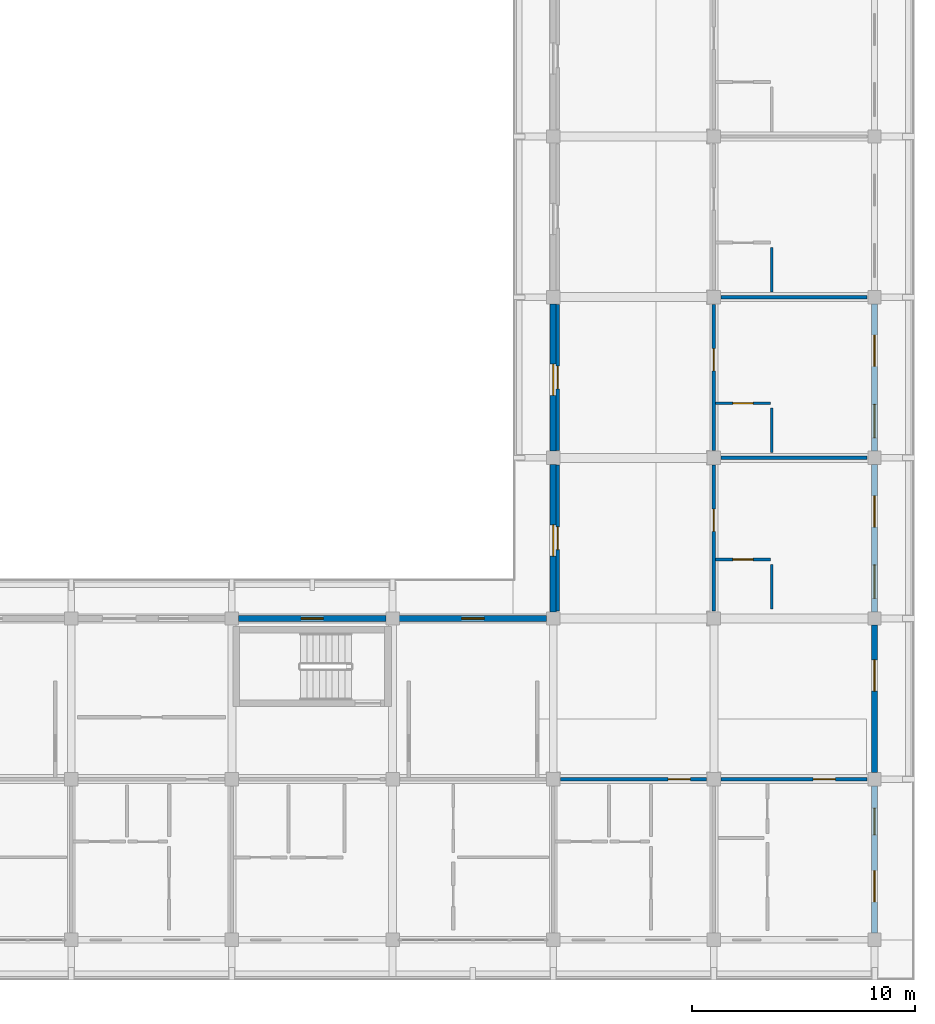
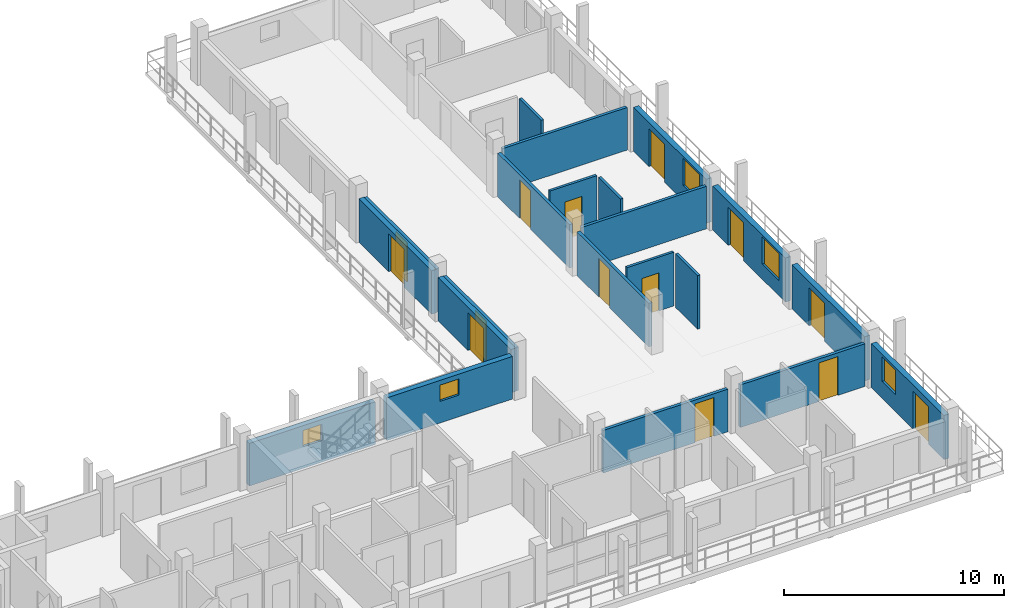
# One storey, part 54 of 76: 21 walls, 14 doors, 5 windows, 19 openings.
"""IFC4 building model written with IfcOpenShell, lengths in metres."""

from ifc_helpers import new_model, si_unit, direction, frame, frame_2d, origin, place, context, subcontext, project, spatial, rectangle, extrude, material, layer, layer_set, type_object, element, fill, save


model = new_model("IFC4")

# Units and contexts
model_context = context("Model", 3, precision=1e-05, world=origin(), true_north=direction((0.0, 1.0)))
body_context = subcontext(model_context, "Body", "Model", "MODEL_VIEW")
ifc_project = project(units=[si_unit("LENGTHUNIT", "METRE"), si_unit("AREAUNIT", "SQUARE_METRE"), si_unit("VOLUMEUNIT", "CUBIC_METRE"), si_unit("PLANEANGLEUNIT", "RADIAN"), si_unit("MASSUNIT", "GRAM", prefix="KILO")], contexts=[model_context])

# Site, building, storey
site_placement = place(None, origin())
site = spatial("IfcSite", under=ifc_project, at=site_placement, CompositionType="ELEMENT")
building_placement = place(site_placement, origin())
building = spatial("IfcBuilding", under=site, at=building_placement, Name="Suanplinth Sawtooth Commons", CompositionType="ELEMENT")
storey_placement = place(building_placement, frame((0.0, 0.0, 12.199951171875)))
storey = spatial("IfcBuildingStorey", under=building, at=storey_placement, Name="L03", CompositionType="ELEMENT", Elevation=12.199951171875)

# Wall, opening, window
ifc_material_1 = material(Name="Precast concrete C40/50", Category="concrete")
ifc_layer_1 = layer(ifc_material_1, 0.280029296875, Name="Insulated precast architectural facade wall 280mm")
ifc_layer_set_1 = layer_set([ifc_layer_1], Name="Precast concrete C40/50")
wall_type_1 = type_object("IfcWallType", Name="W-EX01", PredefinedType="ELEMENTEDWALL", material=ifc_layer_set_1)
wall_1_placement = place(storey_placement, frame((158.699951171875, 14.39990234375, 0.0), z_axis=(0.0, 0.0, 1.0), x_axis=(1.0, 0.0, 0.0)))
wall_1 = element("IfcWall", 1, at=wall_1_placement, inside=storey, type_object=wall_type_1, Name="Facade Wall W-L03-C-N-22-1", PredefinedType="ELEMENTEDWALL", context=body_context, shape_type="SweptSolid", body=[
    extrude(rectangle(XDim=6.60009765625, YDim=0.280029296875, at=frame_2d((3.300048828125, 0.0))), origin(), (0.0, 0.0, 1.0), 2.364990234375),
])
opening_1_placement = place(wall_1_placement, frame((2.800048828125, 0.0, 1.199951171875)))
opening_1 = element("IfcOpeningElement", 2, at=opening_1_placement, cuts=wall_1, Name="Opening W0384", PredefinedType="OPENING", context=body_context, shape_type="SweptSolid", body=[
    extrude(rectangle(XDim=1.0, YDim=0.89990234375, at=frame_2d((0.5, 0.449951171875))), frame((0.0, 0.15478515625, 0.0), z_axis=(0.0, -1.0, 0.0), x_axis=(1.0, 0.0, 0.0)), (0.0, 0.0, 1.0), 0.309814453125),
])
ifc_material_2 = material(Name="Thermally broken aluminium and low-E double glazing", Category="aluminium")
window_type_1 = type_object("IfcWindowType", Name="WN-12", PartitioningType="SINGLE_PANEL", PredefinedType="WINDOW", material=ifc_material_2)
window_1_placement = place(opening_1_placement, origin())
window_1 = element("IfcWindow", 3, at=window_1_placement, inside=storey, type_object=window_type_1, Name="Core Daylight Window L03-C-22-1", OverallHeight=0.89990234375, OverallWidth=1.0, PartitioningType="SINGLE_PANEL", PredefinedType="WINDOW", context=body_context, shape_type="SweptSolid", body=[
    extrude(rectangle(XDim=1.0, YDim=0.89990234375, at=frame_2d((0.5, 0.449951171875))), frame((0.0, 0.030029296875, 0.0), z_axis=(0.0, -1.0, 0.0), x_axis=(1.0, 0.0, 0.0)), (0.0, 0.0, 1.0), 0.06005859375),
])
fill(opening_1, window_1)

wall_2_placement = place(storey_placement, frame((165.89990234375, 14.39990234375, 0.0), z_axis=(0.0, 0.0, 1.0), x_axis=(1.0, 0.0, 0.0)))
wall_2 = element("IfcWall", 4, at=wall_2_placement, inside=storey, type_object=wall_type_1, Name="Facade Wall W-L03-C-N-23-1", PredefinedType="ELEMENTEDWALL", context=body_context, shape_type="SweptSolid", body=[
    extrude(rectangle(XDim=6.60009765625, YDim=0.280029296875, at=frame_2d((3.300048828125, 0.0))), origin(), (0.0, 0.0, 1.0), 2.364990234375),
])
opening_2_placement = place(wall_2_placement, frame((2.800048828125, 0.0, 1.199951171875)))
opening_2 = element("IfcOpeningElement", 5, at=opening_2_placement, cuts=wall_2, Name="Opening W0385", PredefinedType="OPENING", context=body_context, shape_type="SweptSolid", body=[
    extrude(rectangle(XDim=1.0, YDim=0.89990234375, at=frame_2d((0.5, 0.449951171875))), frame((0.0, 0.15478515625, 0.0), z_axis=(0.0, -1.0, 0.0), x_axis=(1.0, 0.0, 0.0)), (0.0, 0.0, 1.0), 0.309814453125),
])
window_2_placement = place(opening_2_placement, origin())
window_2 = element("IfcWindow", 6, at=window_2_placement, inside=storey, type_object=window_type_1, Name="Core Daylight Window L03-C-23-1", OverallHeight=0.89990234375, OverallWidth=1.0, PartitioningType="SINGLE_PANEL", PredefinedType="WINDOW", context=body_context, shape_type="SweptSolid", body=[
    extrude(rectangle(XDim=1.0, YDim=0.89990234375, at=frame_2d((0.5, 0.449951171875))), frame((0.0, 0.030029296875, 0.0), z_axis=(0.0, -1.0, 0.0), x_axis=(1.0, 0.0, 0.0)), (0.0, 0.0, 1.0), 0.06005859375),
])
fill(opening_2, window_2)

# Wall, opening, door
wall_3_placement = place(storey_placement, frame((172.800048828125, 14.699951171875, 0.0), z_axis=(0.0, 0.0, 1.0), x_axis=(0.0, 1.0, 0.0)))
wall_3 = element("IfcWall", 7, at=wall_3_placement, inside=storey, type_object=wall_type_1, Name="Facade Wall W-L03-C-W-24-2", PredefinedType="ELEMENTEDWALL", context=body_context, shape_type="SweptSolid", body=[
    extrude(rectangle(XDim=6.60009765625, YDim=0.280029296875, at=frame_2d((3.300048828125, 0.0))), origin(), (0.0, 0.0, 1.0), 2.4150390625),
])
opening_3_placement = place(wall_3_placement, frame((2.5, 0.0, 0.0)))
opening_3 = element("IfcOpeningElement", 8, at=opening_3_placement, cuts=wall_3, Name="Opening ED0277", PredefinedType="OPENING", context=body_context, shape_type="SweptSolid", body=[
    extrude(rectangle(XDim=1.39990234375, YDim=2.10009765625, at=frame_2d((0.699951171875, 1.050048828125))), frame((0.0, 0.15478515625, 0.0), z_axis=(0.0, -1.0, 0.0), x_axis=(1.0, 0.0, 0.0)), (0.0, 0.0, 1.0), 0.309814453125),
])
ifc_material_3 = material(Name="Anodized aluminium and low-E glass", Category="aluminium")
door_type_1 = type_object("IfcDoorType", Name="SD-07", OperationType="SLIDING_TO_RIGHT", PredefinedType="DOOR", material=ifc_material_3)
door_1_placement = place(opening_3_placement, frame((1.39990234375, 0.0, 0.0), z_axis=(0.0, 0.0, 1.0), x_axis=(-1.0, 0.0, 0.0)))
door_1 = element("IfcDoor", 9, at=door_1_placement, inside=storey, type_object=door_type_1, Name="Courtyard Veranda Studio Balcony Door L03-C-2", OperationType="SLIDING_TO_RIGHT", OverallHeight=2.10009765625, OverallWidth=1.39990234375, PredefinedType="DOOR", context=body_context, shape_type="SweptSolid", body=[
    extrude(rectangle(XDim=1.39990234375, YDim=2.10009765625, at=frame_2d((0.699951171875, 1.050048828125))), frame((0.0, 0.02490234375, 0.0), z_axis=(0.0, -1.0, 0.0), x_axis=(1.0, 0.0, 0.0)), (0.0, 0.0, 1.0), 0.050048828125),
])
fill(opening_3, door_1)

wall_4_placement = place(storey_placement, frame((172.800048828125, 21.89990234375, 0.0), z_axis=(0.0, 0.0, 1.0), x_axis=(0.0, 1.0, 0.0)))
wall_4 = element("IfcWall", 10, at=wall_4_placement, inside=storey, type_object=wall_type_1, Name="Facade Wall W-L03-C-W-24-3", PredefinedType="ELEMENTEDWALL", context=body_context, shape_type="SweptSolid", body=[
    extrude(rectangle(XDim=6.60009765625, YDim=0.280029296875, at=frame_2d((3.300048828125, 0.0))), origin(), (0.0, 0.0, 1.0), 2.4150390625),
])
opening_4_placement = place(wall_4_placement, frame((2.5, 0.0, 0.0)))
opening_4 = element("IfcOpeningElement", 11, at=opening_4_placement, cuts=wall_4, Name="Opening ED0278", PredefinedType="OPENING", context=body_context, shape_type="SweptSolid", body=[
    extrude(rectangle(XDim=1.39990234375, YDim=2.10009765625, at=frame_2d((0.699951171875, 1.050048828125))), frame((0.0, 0.15478515625, 0.0), z_axis=(0.0, -1.0, 0.0), x_axis=(1.0, 0.0, 0.0)), (0.0, 0.0, 1.0), 0.309814453125),
])
door_2_placement = place(opening_4_placement, frame((1.39990234375, 0.0, 0.0), z_axis=(0.0, 0.0, 1.0), x_axis=(-1.0, 0.0, 0.0)))
door_2 = element("IfcDoor", 12, at=door_2_placement, inside=storey, type_object=door_type_1, Name="Courtyard Veranda Studio Balcony Door L03-C-3", OperationType="SLIDING_TO_RIGHT", OverallHeight=2.10009765625, OverallWidth=1.39990234375, PredefinedType="DOOR", context=body_context, shape_type="SweptSolid", body=[
    extrude(rectangle(XDim=1.39990234375, YDim=2.10009765625, at=frame_2d((0.699951171875, 1.050048828125))), frame((0.0, 0.02490234375, 0.0), z_axis=(0.0, -1.0, 0.0), x_axis=(1.0, 0.0, 0.0)), (0.0, 0.0, 1.0), 0.050048828125),
])
fill(opening_4, door_2)

# Wall, openings, door, window
wall_5_placement = place(storey_placement, frame((187.199951171875, 0.300048828125, 0.0), z_axis=(0.0, 0.0, 1.0), x_axis=(0.0, 1.0, 0.0)))
wall_5 = element("IfcWall", 13, at=wall_5_placement, inside=storey, type_object=wall_type_1, Name="Facade Wall W-L03-C-E-25-0", PredefinedType="ELEMENTEDWALL", context=body_context, shape_type="SweptSolid", body=[
    extrude(rectangle(XDim=6.599853515625, YDim=0.280029296875, at=frame_2d((3.2998046875, 0.0))), origin(), (0.0, 0.0, 1.0), 2.445068359375),
])
opening_5_placement = place(wall_5_placement, frame((1.39990234375, 0.0, 0.0)))
opening_5 = element("IfcOpeningElement", 14, at=opening_5_placement, cuts=wall_5, Name="Opening ED0282", PredefinedType="OPENING", context=body_context, shape_type="SweptSolid", body=[
    extrude(rectangle(XDim=1.39990234375, YDim=2.10009765625, at=frame_2d((0.699951171875, 1.050048828125))), frame((0.0, 0.15478515625, 0.0), z_axis=(0.0, -1.0, 0.0), x_axis=(1.0, 0.0, 0.0)), (0.0, 0.0, 1.0), 0.309814453125),
])
opening_6_placement = place(wall_5_placement, frame((4.39990234375, 0.0, 0.949951171875)))
opening_6 = element("IfcOpeningElement", 15, at=opening_6_placement, cuts=wall_5, Name="Opening W0389", PredefinedType="OPENING", context=body_context, shape_type="SweptSolid", body=[
    extrude(rectangle(XDim=1.199951171875, YDim=1.35009765625, at=frame_2d((0.60009765625, 0.675048828125))), frame((0.0, 0.15478515625, 0.0), z_axis=(0.0, -1.0, 0.0), x_axis=(1.0, 0.0, 0.0)), (0.0, 0.0, 1.0), 0.309814453125),
])
door_3_placement = place(opening_5_placement, frame((1.39990234375, 0.0, 0.0), z_axis=(0.0, 0.0, 1.0), x_axis=(-1.0, 0.0, 0.0)))
door_3 = element("IfcDoor", 16, at=door_3_placement, inside=storey, type_object=door_type_1, Name="End Balcony Sliding Door L03-C-E-25-0", OperationType="SLIDING_TO_RIGHT", OverallHeight=2.10009765625, OverallWidth=1.39990234375, PredefinedType="DOOR", context=body_context, shape_type="SweptSolid", body=[
    extrude(rectangle(XDim=1.39990234375, YDim=2.10009765625, at=frame_2d((0.699951171875, 1.050048828125))), frame((0.0, 0.02490234375, 0.0), z_axis=(0.0, -1.0, 0.0), x_axis=(1.0, 0.0, 0.0)), (0.0, 0.0, 1.0), 0.050048828125),
])
fill(opening_5, door_3)
window_type_2 = type_object("IfcWindowType", Name="WN-03", PartitioningType="SINGLE_PANEL", PredefinedType="WINDOW", material=ifc_material_2)
window_3_placement = place(opening_6_placement, origin())
window_3 = element("IfcWindow", 17, at=window_3_placement, inside=storey, type_object=window_type_2, Name="End Bedroom Window L03-C-25-0", OverallHeight=1.35009765625, OverallWidth=1.199951171875, PartitioningType="SINGLE_PANEL", PredefinedType="WINDOW", context=body_context, shape_type="SweptSolid", body=[
    extrude(rectangle(XDim=1.199951171875, YDim=1.35009765625, at=frame_2d((0.60009765625, 0.675048828125))), frame((0.0, 0.030029296875, 0.0), z_axis=(0.0, -1.0, 0.0), x_axis=(1.0, 0.0, 0.0)), (0.0, 0.0, 1.0), 0.06005859375),
])
fill(opening_6, window_3)

# Wall, opening, door
wall_6_placement = place(storey_placement, frame((187.199951171875, 7.5, 0.0), z_axis=(0.0, 0.0, 1.0), x_axis=(0.0, 1.0, 0.0)))
wall_6 = element("IfcWall", 18, at=wall_6_placement, inside=storey, type_object=wall_type_1, Name="Facade Wall W-L03-C-E-25-1", PredefinedType="ELEMENTEDWALL", context=body_context, shape_type="SweptSolid", body=[
    extrude(rectangle(XDim=6.60009765625, YDim=0.280029296875, at=frame_2d((3.300048828125, 0.0))), origin(), (0.0, 0.0, 1.0), 2.445068359375),
])
opening_7_placement = place(wall_6_placement, frame((3.64990234375, 0.0, 0.0)))
opening_7 = element("IfcOpeningElement", 19, at=opening_7_placement, cuts=wall_6, Name="Opening ED0283", PredefinedType="OPENING", context=body_context, shape_type="SweptSolid", body=[
    extrude(rectangle(XDim=1.39990234375, YDim=2.10009765625, at=frame_2d((0.699951171875, 1.050048828125))), frame((0.0, 0.15478515625, 0.0), z_axis=(0.0, -1.0, 0.0), x_axis=(1.0, 0.0, 0.0)), (0.0, 0.0, 1.0), 0.309814453125),
])
door_4_placement = place(opening_7_placement, frame((1.39990234375, 0.0, 0.0), z_axis=(0.0, 0.0, 1.0), x_axis=(-1.0, 0.0, 0.0)))
door_4 = element("IfcDoor", 20, at=door_4_placement, inside=storey, type_object=door_type_1, Name="End Balcony Sliding Door L03-C-E-25-1", OperationType="SLIDING_TO_RIGHT", OverallHeight=2.10009765625, OverallWidth=1.39990234375, PredefinedType="DOOR", context=body_context, shape_type="SweptSolid", body=[
    extrude(rectangle(XDim=1.39990234375, YDim=2.10009765625, at=frame_2d((0.699951171875, 1.050048828125))), frame((0.0, 0.02490234375, 0.0), z_axis=(0.0, -1.0, 0.0), x_axis=(1.0, 0.0, 0.0)), (0.0, 0.0, 1.0), 0.050048828125),
])
fill(opening_7, door_4)

# Wall, openings, door, window
wall_7_placement = place(storey_placement, frame((187.199951171875, 14.699951171875, 0.0), z_axis=(0.0, 0.0, 1.0), x_axis=(0.0, 1.0, 0.0)))
wall_7 = element("IfcWall", 21, at=wall_7_placement, inside=storey, type_object=wall_type_1, Name="Facade Wall W-L03-C-E-25-2", PredefinedType="ELEMENTEDWALL", context=body_context, shape_type="SweptSolid", body=[
    extrude(rectangle(XDim=6.60009765625, YDim=0.280029296875, at=frame_2d((3.300048828125, 0.0))), origin(), (0.0, 0.0, 1.0), 2.445068359375),
])
opening_8_placement = place(wall_7_placement, frame((3.800048828125, 0.0, 0.0)))
opening_8 = element("IfcOpeningElement", 22, at=opening_8_placement, cuts=wall_7, Name="Opening ED0284", PredefinedType="OPENING", context=body_context, shape_type="SweptSolid", body=[
    extrude(rectangle(XDim=1.39990234375, YDim=2.10009765625, at=frame_2d((0.699951171875, 1.050048828125))), frame((0.0, 0.15478515625, 0.0), z_axis=(0.0, -1.0, 0.0), x_axis=(1.0, 0.0, 0.0)), (0.0, 0.0, 1.0), 0.309814453125),
])
opening_9_placement = place(wall_7_placement, frame((0.60009765625, 0.0, 0.8349609375)))
opening_9 = element("IfcOpeningElement", 23, at=opening_9_placement, cuts=wall_7, Name="Opening W0390", PredefinedType="OPENING", context=body_context, shape_type="SweptSolid", body=[
    extrude(rectangle(XDim=1.5, YDim=1.5, at=frame_2d((0.75, 0.75))), frame((0.0, 0.15478515625, 0.0), z_axis=(0.0, -1.0, 0.0), x_axis=(1.0, 0.0, 0.0)), (0.0, 0.0, 1.0), 0.309814453125),
])
door_5_placement = place(opening_8_placement, frame((1.39990234375, 0.0, 0.0), z_axis=(0.0, 0.0, 1.0), x_axis=(-1.0, 0.0, 0.0)))
door_5 = element("IfcDoor", 24, at=door_5_placement, inside=storey, type_object=door_type_1, Name="Wing Balcony Sliding Door L03-C-2", OperationType="SLIDING_TO_RIGHT", OverallHeight=2.10009765625, OverallWidth=1.39990234375, PredefinedType="DOOR", context=body_context, shape_type="SweptSolid", body=[
    extrude(rectangle(XDim=1.39990234375, YDim=2.10009765625, at=frame_2d((0.699951171875, 1.050048828125))), frame((0.0, 0.02490234375, 0.0), z_axis=(0.0, -1.0, 0.0), x_axis=(1.0, 0.0, 0.0)), (0.0, 0.0, 1.0), 0.050048828125),
])
fill(opening_8, door_5)
window_type_3 = type_object("IfcWindowType", Name="WN-02", PartitioningType="DOUBLE_PANEL_VERTICAL", PredefinedType="WINDOW", material=ifc_material_2)
window_4_placement = place(opening_9_placement, origin())
window_4 = element("IfcWindow", 25, at=window_4_placement, inside=storey, type_object=window_type_3, Name="Wing Window L03-C-2", OverallHeight=1.5, OverallWidth=1.5, PartitioningType="DOUBLE_PANEL_VERTICAL", PredefinedType="WINDOW", context=body_context, shape_type="SweptSolid", body=[
    extrude(rectangle(XDim=1.5, YDim=1.5, at=frame_2d((0.75, 0.75))), frame((0.0, 0.030029296875, 0.0), z_axis=(0.0, -1.0, 0.0), x_axis=(1.0, 0.0, 0.0)), (0.0, 0.0, 1.0), 0.06005859375),
])
fill(opening_9, window_4)

wall_8_placement = place(storey_placement, frame((187.199951171875, 21.89990234375, 0.0), z_axis=(0.0, 0.0, 1.0), x_axis=(0.0, 1.0, 0.0)))
wall_8 = element("IfcWall", 26, at=wall_8_placement, inside=storey, type_object=wall_type_1, Name="Facade Wall W-L03-C-E-25-3", PredefinedType="ELEMENTEDWALL", context=body_context, shape_type="SweptSolid", body=[
    extrude(rectangle(XDim=6.60009765625, YDim=0.280029296875, at=frame_2d((3.300048828125, 0.0))), origin(), (0.0, 0.0, 1.0), 2.445068359375),
])
opening_10_placement = place(wall_8_placement, frame((3.800048828125, 0.0, 0.0)))
opening_10 = element("IfcOpeningElement", 27, at=opening_10_placement, cuts=wall_8, Name="Opening ED0285", PredefinedType="OPENING", context=body_context, shape_type="SweptSolid", body=[
    extrude(rectangle(XDim=1.39990234375, YDim=2.10009765625, at=frame_2d((0.699951171875, 1.050048828125))), frame((0.0, 0.15478515625, 0.0), z_axis=(0.0, -1.0, 0.0), x_axis=(1.0, 0.0, 0.0)), (0.0, 0.0, 1.0), 0.309814453125),
])
opening_11_placement = place(wall_8_placement, frame((0.60009765625, 0.0, 0.8349609375)))
opening_11 = element("IfcOpeningElement", 28, at=opening_11_placement, cuts=wall_8, Name="Opening W0391", PredefinedType="OPENING", context=body_context, shape_type="SweptSolid", body=[
    extrude(rectangle(XDim=1.5, YDim=1.5, at=frame_2d((0.75, 0.75))), frame((0.0, 0.15478515625, 0.0), z_axis=(0.0, -1.0, 0.0), x_axis=(1.0, 0.0, 0.0)), (0.0, 0.0, 1.0), 0.309814453125),
])
door_6_placement = place(opening_10_placement, frame((1.39990234375, 0.0, 0.0), z_axis=(0.0, 0.0, 1.0), x_axis=(-1.0, 0.0, 0.0)))
door_6 = element("IfcDoor", 29, at=door_6_placement, inside=storey, type_object=door_type_1, Name="Wing Balcony Sliding Door L03-C-3", OperationType="SLIDING_TO_RIGHT", OverallHeight=2.10009765625, OverallWidth=1.39990234375, PredefinedType="DOOR", context=body_context, shape_type="SweptSolid", body=[
    extrude(rectangle(XDim=1.39990234375, YDim=2.10009765625, at=frame_2d((0.699951171875, 1.050048828125))), frame((0.0, 0.02490234375, 0.0), z_axis=(0.0, -1.0, 0.0), x_axis=(1.0, 0.0, 0.0)), (0.0, 0.0, 1.0), 0.050048828125),
])
fill(opening_10, door_6)
window_5_placement = place(opening_11_placement, origin())
window_5 = element("IfcWindow", 30, at=window_5_placement, inside=storey, type_object=window_type_3, Name="Wing Window L03-C-3", OverallHeight=1.5, OverallWidth=1.5, PartitioningType="DOUBLE_PANEL_VERTICAL", PredefinedType="WINDOW", context=body_context, shape_type="SweptSolid", body=[
    extrude(rectangle(XDim=1.5, YDim=1.5, at=frame_2d((0.75, 0.75))), frame((0.0, 0.030029296875, 0.0), z_axis=(0.0, -1.0, 0.0), x_axis=(1.0, 0.0, 0.0)), (0.0, 0.0, 1.0), 0.06005859375),
])
fill(opening_11, window_5)

# Wall, opening, door
ifc_layer_2 = layer(ifc_material_1, 0.159912109375, Name="Fire-rated corridor and lobby wall 160mm")
ifc_layer_set_2 = layer_set([ifc_layer_2], Name="Precast concrete C40/50")
wall_type_2 = type_object("IfcWallType", Name="W-FW01", PredefinedType="PARTITIONING", material=ifc_layer_set_2)
wall_9_placement = place(storey_placement, frame((173.1298828125, 7.199951171875, 0.0), z_axis=(0.0, 0.0, 1.0), x_axis=(1.0, 0.0, 0.0)))
wall_9 = element("IfcWall", 31, at=wall_9_placement, inside=storey, type_object=wall_type_2, Name="W-C-L03-U06-COR", PredefinedType="PARTITIONING", context=body_context, shape_type="SweptSolid", body=[
    extrude(rectangle(XDim=6.5400390625, YDim=0.159912109375, at=frame_2d((3.27001953125, 0.0))), origin(), (0.0, 0.0, 1.0), 2.364990234375),
])
opening_12_placement = place(wall_9_placement, frame((4.820068359375, 0.0, 0.0)))
opening_12 = element("IfcOpeningElement", 32, at=opening_12_placement, cuts=wall_9, Name="Opening FD0982", PredefinedType="OPENING", context=body_context, shape_type="SweptSolid", body=[
    extrude(rectangle(XDim=1.0, YDim=2.14990234375, at=frame_2d((0.5, 1.074951171875))), frame((0.0, 0.0947265625, 0.0), z_axis=(0.0, -1.0, 0.0), x_axis=(1.0, 0.0, 0.0)), (0.0, 0.0, 1.0), 0.189697265625),
])
ifc_material_4 = material(Name="Teak hardwood fire-rated door assembly", Category="wood")
door_type_2 = type_object("IfcDoorType", Name="FD-03", OperationType="NOTDEFINED", PredefinedType="DOOR", material=ifc_material_4)
door_7_placement = place(opening_12_placement, frame((1.0, 0.0, 0.0), z_axis=(0.0, 0.0, 1.0), x_axis=(-1.0, 0.0, 0.0)))
door_7 = element("IfcDoor", 33, at=door_7_placement, inside=storey, type_object=door_type_2, Name="Unit Entrance Door FD0982", OperationType="SINGLE_SWING_RIGHT", OverallHeight=2.14990234375, OverallWidth=1.0, PredefinedType="DOOR", context=body_context, shape_type="SweptSolid", body=[
    extrude(rectangle(XDim=1.0, YDim=2.14990234375, at=frame_2d((0.5, 1.074951171875))), frame((0.0, 0.02490234375, 0.0), z_axis=(0.0, -1.0, 0.0), x_axis=(1.0, 0.0, 0.0)), (0.0, 0.0, 1.0), 0.050048828125),
])
fill(opening_12, door_7)

wall_10_placement = place(storey_placement, frame((180.330078125, 7.199951171875, 0.0), z_axis=(0.0, 0.0, 1.0), x_axis=(1.0, 0.0, 0.0)))
wall_10 = element("IfcWall", 34, at=wall_10_placement, inside=storey, type_object=wall_type_2, Name="W-C-L03-U07-COR", PredefinedType="PARTITIONING", context=body_context, shape_type="SweptSolid", body=[
    extrude(rectangle(XDim=6.5400390625, YDim=0.159912109375, at=frame_2d((3.27001953125, 0.0))), origin(), (0.0, 0.0, 1.0), 2.364990234375),
])
opening_13_placement = place(wall_10_placement, frame((4.1201171875, 0.0, 0.0)))
opening_13 = element("IfcOpeningElement", 35, at=opening_13_placement, cuts=wall_10, Name="Opening FD0986", PredefinedType="OPENING", context=body_context, shape_type="SweptSolid", body=[
    extrude(rectangle(XDim=1.0, YDim=2.14990234375, at=frame_2d((0.5, 1.074951171875))), frame((0.0, 0.0947265625, 0.0), z_axis=(0.0, -1.0, 0.0), x_axis=(1.0, 0.0, 0.0)), (0.0, 0.0, 1.0), 0.189697265625),
])
door_8_placement = place(opening_13_placement, frame((1.0, 0.0, 0.0), z_axis=(0.0, 0.0, 1.0), x_axis=(-1.0, 0.0, 0.0)))
door_8 = element("IfcDoor", 36, at=door_8_placement, inside=storey, type_object=door_type_2, Name="Unit Entrance Door FD0986", OperationType="SINGLE_SWING_RIGHT", OverallHeight=2.14990234375, OverallWidth=1.0, PredefinedType="DOOR", context=body_context, shape_type="SweptSolid", body=[
    extrude(rectangle(XDim=1.0, YDim=2.14990234375, at=frame_2d((0.5, 1.074951171875))), frame((0.0, 0.02490234375, 0.0), z_axis=(0.0, -1.0, 0.0), x_axis=(1.0, 0.0, 0.0)), (0.0, 0.0, 1.0), 0.050048828125),
])
fill(opening_13, door_8)

wall_11_placement = place(storey_placement, frame((180.0, 14.72998046875, 0.0), z_axis=(0.0, 0.0, 1.0), x_axis=(0.0, 1.0, 0.0)))
wall_11 = element("IfcWall", 37, at=wall_11_placement, inside=storey, type_object=wall_type_2, Name="W-C-L03-L01-COR", PredefinedType="PARTITIONING", context=body_context, shape_type="SweptSolid", body=[
    extrude(rectangle(XDim=6.5400390625, YDim=0.159912109375, at=frame_2d((3.27001953125, 0.0))), origin(), (0.0, 0.0, 1.0), 2.4150390625),
])
opening_14_placement = place(wall_11_placement, frame((3.570068359375, 0.0, 0.0)))
opening_14 = element("IfcOpeningElement", 38, at=opening_14_placement, cuts=wall_11, Name="Opening FD0992", PredefinedType="OPENING", context=body_context, shape_type="SweptSolid", body=[
    extrude(rectangle(XDim=1.0, YDim=2.14990234375, at=frame_2d((0.5, 1.074951171875))), frame((0.0, 0.0947265625, 0.0), z_axis=(0.0, -1.0, 0.0), x_axis=(1.0, 0.0, 0.0)), (0.0, 0.0, 1.0), 0.189697265625),
])
door_9_placement = place(opening_14_placement, frame((1.0, 0.0, 0.0), z_axis=(0.0, 0.0, 1.0), x_axis=(-1.0, 0.0, 0.0)))
door_9 = element("IfcDoor", 39, at=door_9_placement, inside=storey, type_object=door_type_2, Name="Wing Unit Entrance Door FD0992", OperationType="SINGLE_SWING_RIGHT", OverallHeight=2.14990234375, OverallWidth=1.0, PredefinedType="DOOR", context=body_context, shape_type="SweptSolid", body=[
    extrude(rectangle(XDim=1.0, YDim=2.14990234375, at=frame_2d((0.5, 1.074951171875))), frame((0.0, 0.02490234375, 0.0), z_axis=(0.0, -1.0, 0.0), x_axis=(1.0, 0.0, 0.0)), (0.0, 0.0, 1.0), 0.050048828125),
])
fill(opening_14, door_9)

wall_12_placement = place(storey_placement, frame((173.0, 14.72998046875, 0.0), z_axis=(0.0, 0.0, 1.0), x_axis=(0.0, 1.0, 0.0)))
wall_12 = element("IfcWall", 40, at=wall_12_placement, inside=storey, type_object=wall_type_2, Name="W-C-L03-LEGCOURTROOM-52-COR", PredefinedType="PARTITIONING", context=body_context, shape_type="SweptSolid", body=[
    extrude(rectangle(XDim=6.5400390625, YDim=0.159912109375, at=frame_2d((3.27001953125, 0.0))), origin(), (0.0, 0.0, 1.0), 2.4150390625),
])
opening_15_placement = place(wall_12_placement, frame((2.760009765625, 0.0, 0.0)))
opening_15 = element("IfcOpeningElement", 41, at=opening_15_placement, cuts=wall_12, Name="Opening D0994", PredefinedType="OPENING", context=body_context, shape_type="SweptSolid", body=[
    extrude(rectangle(XDim=1.02001953125, YDim=2.179931640625, at=frame_2d((0.510009765625, 1.08984375))), frame((0.0, 0.0947265625, 0.0), z_axis=(0.0, -1.0, 0.0), x_axis=(1.0, 0.0, 0.0)), (0.0, 0.0, 1.0), 0.189697265625),
])
ifc_material_5 = material(Name="Teak hardwood", Category="wood")
door_type_3 = type_object("IfcDoorType", Name="D-16", OperationType="NOTDEFINED", PredefinedType="DOOR", material=ifc_material_5)
door_10_placement = place(opening_15_placement, origin())
door_10 = element("IfcDoor", 42, at=door_10_placement, inside=storey, type_object=door_type_3, Name="Veranda Studio Door D0994", OperationType="SINGLE_SWING_RIGHT", OverallHeight=2.179931640625, OverallWidth=1.02001953125, PredefinedType="DOOR", context=body_context, shape_type="SweptSolid", body=[
    extrude(rectangle(XDim=1.02001953125, YDim=2.179931640625, at=frame_2d((0.510009765625, 1.08984375))), frame((0.0, 0.02490234375, 0.0), z_axis=(0.0, -1.0, 0.0), x_axis=(1.0, 0.0, 0.0)), (0.0, 0.0, 1.0), 0.050048828125),
])
fill(opening_15, door_10)

wall_13_placement = place(storey_placement, frame((180.0, 21.929931640625, 0.0), z_axis=(0.0, 0.0, 1.0), x_axis=(0.0, 1.0, 0.0)))
wall_13 = element("IfcWall", 43, at=wall_13_placement, inside=storey, type_object=wall_type_2, Name="W-C-L03-L02-COR", PredefinedType="PARTITIONING", context=body_context, shape_type="SweptSolid", body=[
    extrude(rectangle(XDim=6.5400390625, YDim=0.159912109375, at=frame_2d((3.27001953125, 0.0))), origin(), (0.0, 0.0, 1.0), 2.4150390625),
])
opening_16_placement = place(wall_13_placement, frame((3.570068359375, 0.0, 0.0)))
opening_16 = element("IfcOpeningElement", 44, at=opening_16_placement, cuts=wall_13, Name="Opening FD0995", PredefinedType="OPENING", context=body_context, shape_type="SweptSolid", body=[
    extrude(rectangle(XDim=1.0, YDim=2.14990234375, at=frame_2d((0.5, 1.074951171875))), frame((0.0, 0.0947265625, 0.0), z_axis=(0.0, -1.0, 0.0), x_axis=(1.0, 0.0, 0.0)), (0.0, 0.0, 1.0), 0.189697265625),
])
door_11_placement = place(opening_16_placement, frame((1.0, 0.0, 0.0), z_axis=(0.0, 0.0, 1.0), x_axis=(-1.0, 0.0, 0.0)))
door_11 = element("IfcDoor", 45, at=door_11_placement, inside=storey, type_object=door_type_2, Name="Wing Unit Entrance Door FD0995", OperationType="SINGLE_SWING_LEFT", OverallHeight=2.14990234375, OverallWidth=1.0, PredefinedType="DOOR", context=body_context, shape_type="SweptSolid", body=[
    extrude(rectangle(XDim=1.0, YDim=2.14990234375, at=frame_2d((0.5, 1.074951171875))), frame((0.0, 0.02490234375, 0.0), z_axis=(0.0, -1.0, 0.0), x_axis=(1.0, 0.0, 0.0)), (0.0, 0.0, 1.0), 0.050048828125),
])
fill(opening_16, door_11)

wall_14_placement = place(storey_placement, frame((173.0, 21.929931640625, 0.0), z_axis=(0.0, 0.0, 1.0), x_axis=(0.0, 1.0, 0.0)))
wall_14 = element("IfcWall", 46, at=wall_14_placement, inside=storey, type_object=wall_type_2, Name="W-C-L03-LEGCOURTROOM-54-COR", PredefinedType="PARTITIONING", context=body_context, shape_type="SweptSolid", body=[
    extrude(rectangle(XDim=6.5400390625, YDim=0.159912109375, at=frame_2d((3.27001953125, 0.0))), origin(), (0.0, 0.0, 1.0), 2.4150390625),
])
opening_17_placement = place(wall_14_placement, frame((2.760009765625, 0.0, 0.0)))
opening_17 = element("IfcOpeningElement", 47, at=opening_17_placement, cuts=wall_14, Name="Opening D0997", PredefinedType="OPENING", context=body_context, shape_type="SweptSolid", body=[
    extrude(rectangle(XDim=1.02001953125, YDim=2.179931640625, at=frame_2d((0.510009765625, 1.08984375))), frame((0.0, 0.0947265625, 0.0), z_axis=(0.0, -1.0, 0.0), x_axis=(1.0, 0.0, 0.0)), (0.0, 0.0, 1.0), 0.189697265625),
])
door_12_placement = place(opening_17_placement, origin())
door_12 = element("IfcDoor", 48, at=door_12_placement, inside=storey, type_object=door_type_3, Name="Veranda Studio Door D0997", OperationType="SINGLE_SWING_LEFT", OverallHeight=2.179931640625, OverallWidth=1.02001953125, PredefinedType="DOOR", context=body_context, shape_type="SweptSolid", body=[
    extrude(rectangle(XDim=1.02001953125, YDim=2.179931640625, at=frame_2d((0.510009765625, 1.08984375))), frame((0.0, 0.02490234375, 0.0), z_axis=(0.0, -1.0, 0.0), x_axis=(1.0, 0.0, 0.0)), (0.0, 0.0, 1.0), 0.050048828125),
])
fill(opening_17, door_12)

# Walls
ifc_layer_3 = layer(ifc_material_1, 0.14990234375, Name="Acoustic precast party demising wall 150mm")
ifc_layer_set_3 = layer_set([ifc_layer_3], Name="Precast concrete C40/50")
wall_type_3 = type_object("IfcWallType", Name="W-FW02", PredefinedType="PARTITIONING", material=ifc_layer_set_3)
for number, where, z_axis, x_axis, name in (
    (49, (180.330078125, 21.60009765625, 0.0), (0.0, 0.0, 1.0), (1.0, 0.0, 0.0), "W-C-L03-L01-PTY"),
    (50, (180.330078125, 28.800048828125, 0.0), (0.0, 0.0, 1.0), (1.0, 0.0, 0.0), "W-C-L03-L02-PTY"),
):
    element("IfcWall", number, at=place(storey_placement, frame(where, z_axis=z_axis, x_axis=x_axis)), inside=storey, type_object=wall_type_3, Name=name, PredefinedType="PARTITIONING", context=body_context, shape_type="SweptSolid", body=[
        extrude(rectangle(XDim=6.5400390625, YDim=0.14990234375, at=frame_2d((3.27001953125, 0.0))), origin(), (0.0, 0.0, 1.0), 2.364990234375),
    ])

# Wall, opening, door
ifc_material_6 = material(Name="Gypsum plasterboard on steel stud", Category="steel")
ifc_layer_4 = layer(ifc_material_6, 0.1298828125, Name="Moisture-resistant bathroom partition 130mm")
ifc_layer_set_4 = layer_set([ifc_layer_4], Name="Gypsum plasterboard on steel stud")
wall_type_4 = type_object("IfcWallType", Name="W-PT02", PredefinedType="PARTITIONING", material=ifc_layer_set_4)
wall_15_placement = place(storey_placement, frame((180.080078125, 17.044921875, 0.0), z_axis=(0.0, 0.0, 1.0), x_axis=(1.0, 0.0, 0.0)))
wall_15 = element("IfcWall", 51, at=wall_15_placement, inside=storey, type_object=wall_type_4, Name="W-C-L03-L01-BTH1", PredefinedType="PARTITIONING", context=body_context, shape_type="SweptSolid", body=[
    extrude(rectangle(XDim=2.449951171875, YDim=0.1298828125, at=frame_2d((1.22509765625, 0.0))), origin(), (0.0, 0.0, 1.0), 2.97998046875),
])
opening_18_placement = place(wall_15_placement, frame((0.77490234375, 0.0, 0.0)))
opening_18 = element("IfcOpeningElement", 52, at=opening_18_placement, cuts=wall_15, Name="Opening D0993", PredefinedType="OPENING", context=body_context, shape_type="SweptSolid", body=[
    extrude(rectangle(XDim=0.89990234375, YDim=2.10009765625, at=frame_2d((0.449951171875, 1.050048828125))), frame((0.0, 0.079833984375, 0.0), z_axis=(0.0, -1.0, 0.0), x_axis=(1.0, 0.0, 0.0)), (0.0, 0.0, 1.0), 0.15966796875),
])
door_type_4 = type_object("IfcDoorType", Name="D-01", OperationType="NOTDEFINED", PredefinedType="DOOR", material=ifc_material_5)
door_13_placement = place(opening_18_placement, frame((0.89990234375, 0.0, 0.0), z_axis=(0.0, 0.0, 1.0), x_axis=(-1.0, 0.0, 0.0)))
door_13 = element("IfcDoor", 53, at=door_13_placement, inside=storey, type_object=door_type_4, Name="Bathroom Door D0993", OperationType="SINGLE_SWING_LEFT", OverallHeight=2.10009765625, OverallWidth=0.89990234375, PredefinedType="DOOR", context=body_context, shape_type="SweptSolid", body=[
    extrude(rectangle(XDim=0.89990234375, YDim=2.10009765625, at=frame_2d((0.449951171875, 1.050048828125))), frame((0.0, 0.02490234375, 0.0), z_axis=(0.0, -1.0, 0.0), x_axis=(1.0, 0.0, 0.0)), (0.0, 0.0, 1.0), 0.050048828125),
])
fill(opening_18, door_13)

# Wall
wall_16_placement = place(storey_placement, frame((182.594970703125, 14.830078125, 0.0), z_axis=(0.0, 0.0, 1.0), x_axis=(0.0, 1.0, 0.0)))
element("IfcWall", 54, at=wall_16_placement, inside=storey, type_object=wall_type_4, Name="W-C-L03-L01-BTH2", PredefinedType="PARTITIONING", context=body_context, shape_type="SweptSolid", body=[
    extrude(rectangle(XDim=2.0, YDim=0.1298828125, at=frame_2d((1.0, 0.0))), origin(), (0.0, 0.0, 1.0), 2.97998046875),
])

# Wall, opening, door
wall_17_placement = place(storey_placement, frame((180.080078125, 24.044921875, 0.0), z_axis=(0.0, 0.0, 1.0), x_axis=(1.0, 0.0, 0.0)))
wall_17 = element("IfcWall", 55, at=wall_17_placement, inside=storey, type_object=wall_type_4, Name="W-C-L03-L02-BTH1", PredefinedType="PARTITIONING", context=body_context, shape_type="SweptSolid", body=[
    extrude(rectangle(XDim=2.449951171875, YDim=0.1298828125, at=frame_2d((1.22509765625, 0.0))), origin(), (0.0, 0.0, 1.0), 2.97998046875),
])
opening_19_placement = place(wall_17_placement, frame((0.77490234375, 0.0, 0.0)))
opening_19 = element("IfcOpeningElement", 56, at=opening_19_placement, cuts=wall_17, Name="Opening D0996", PredefinedType="OPENING", context=body_context, shape_type="SweptSolid", body=[
    extrude(rectangle(XDim=0.89990234375, YDim=2.10009765625, at=frame_2d((0.449951171875, 1.050048828125))), frame((0.0, 0.079833984375, 0.0), z_axis=(0.0, -1.0, 0.0), x_axis=(1.0, 0.0, 0.0)), (0.0, 0.0, 1.0), 0.15966796875),
])
door_14_placement = place(opening_19_placement, frame((0.89990234375, 0.0, 0.0), z_axis=(0.0, 0.0, 1.0), x_axis=(-1.0, 0.0, 0.0)))
door_14 = element("IfcDoor", 57, at=door_14_placement, inside=storey, type_object=door_type_4, Name="Bathroom Door D0996", OperationType="SINGLE_SWING_RIGHT", OverallHeight=2.10009765625, OverallWidth=0.89990234375, PredefinedType="DOOR", context=body_context, shape_type="SweptSolid", body=[
    extrude(rectangle(XDim=0.89990234375, YDim=2.10009765625, at=frame_2d((0.449951171875, 1.050048828125))), frame((0.0, 0.02490234375, 0.0), z_axis=(0.0, -1.0, 0.0), x_axis=(1.0, 0.0, 0.0)), (0.0, 0.0, 1.0), 0.050048828125),
])
fill(opening_19, door_14)

# Walls
for number, where, z_axis, x_axis, name in (
    (58, (182.594970703125, 21.830078125, 0.0), (0.0, 0.0, 1.0), (0.0, 1.0, 0.0), "W-C-L03-L02-BTH2"),
    (59, (182.594970703125, 29.030029296875, 0.0), (0.0, 0.0, 1.0), (0.0, 1.0, 0.0), "W-C-L03-L03-BTH2"),
):
    element("IfcWall", number, at=place(storey_placement, frame(where, z_axis=z_axis, x_axis=x_axis)), inside=storey, type_object=wall_type_4, Name=name, PredefinedType="PARTITIONING", context=body_context, shape_type="SweptSolid", body=[
        extrude(rectangle(XDim=2.0, YDim=0.1298828125, at=frame_2d((1.0, 0.0))), origin(), (0.0, 0.0, 1.0), 2.97998046875),
    ])

save(model, "model.ifc")
